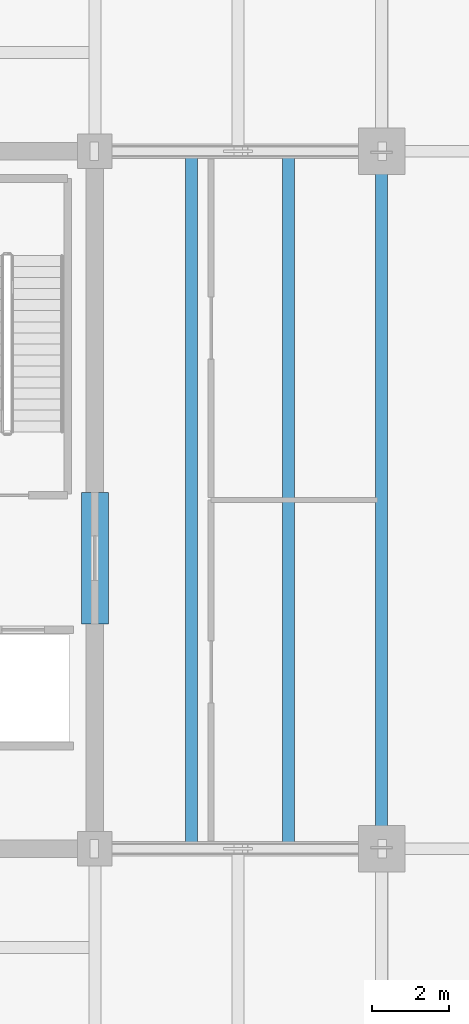
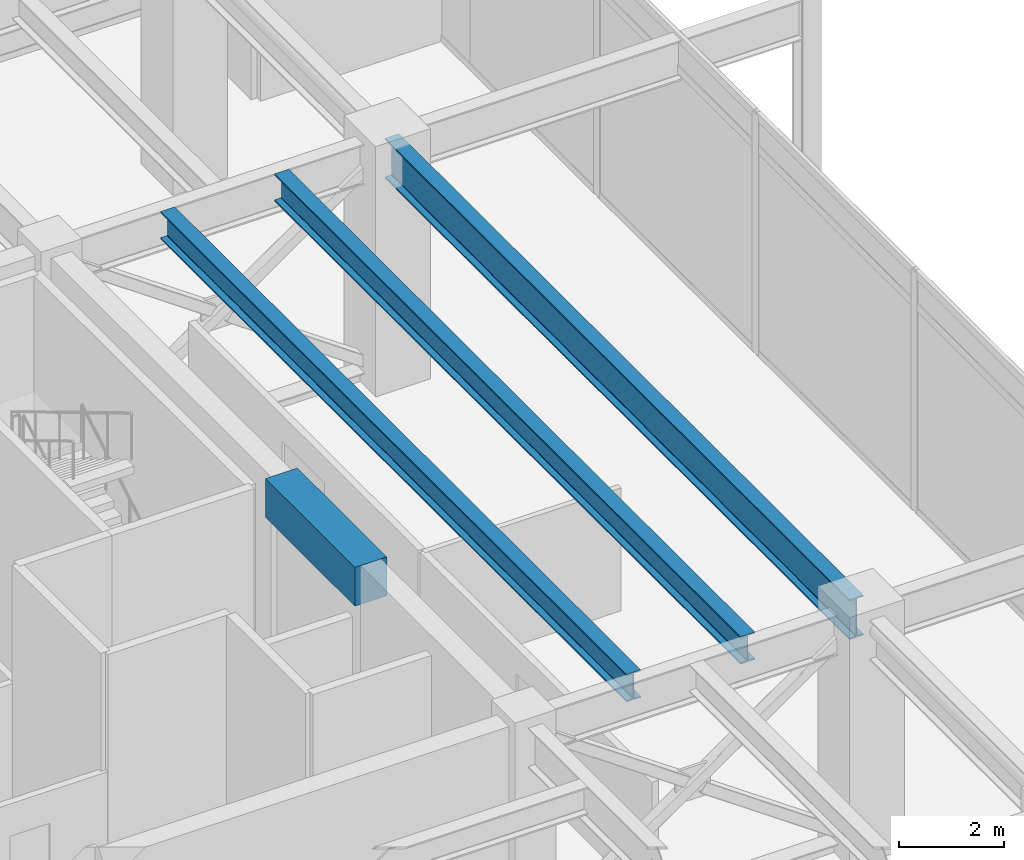
# One storey, part 10 of 26: 4 beams.
"""IFC4 building model written with IfcOpenShell, lengths in metres."""

import ifcopenshell
import ifcopenshell.guid

model = None  # the IFC model being written
_history = None  # IfcOwnerHistory: only IFC2X3 demands one
_inside = {}  # id of a spatial element -> (the spatial element, [elements in it])
_under = {}  # id of a project, library or spatial element -> (it, [spatial elements below it])
_declared = {}  # id of a project -> (the project, [libraries it declares])
_typed = {}  # id of a type object -> (the type object, [elements of that type])
_made_of = {}  # id of a material, layer set ... -> (it, [elements and type objects made of it])


def new_model(schema):
    """Start an empty IFC model of exactly this schema.

    Asked for "IFC4X3", IfcOpenShell would pick the latest addendum, in which some entities
    have other attributes; the version numbers below select the first issue.
    IFC2X3 requires an IfcOwnerHistory on every rooted entity: one is made here for all.
    """
    global model, _history
    if schema == "IFC4X3":
        model = ifcopenshell.file(schema_version=(4, 3, 0, 0))
    else:
        model = ifcopenshell.file(schema=schema)
    _inside.clear()
    _under.clear()
    _declared.clear()
    _typed.clear()
    _made_of.clear()
    _history = None
    if model.schema == "IFC2X3":
        org = make("IfcOrganization", Name="unknown")
        user = make(
            "IfcPersonAndOrganization",
            ThePerson=make("IfcPerson", FamilyName="unknown"),
            TheOrganization=org,
        )
        app = make(
            "IfcApplication",
            ApplicationDeveloper=org,
            Version="unknown",
            ApplicationFullName="unknown",
            ApplicationIdentifier="unknown",
        )
        _history = make(
            "IfcOwnerHistory",
            OwningUser=user,
            OwningApplication=app,
            ChangeAction="ADDED",
            CreationDate=0,
        )
    return model


def make(cls, **values):
    """One entity of the class cls with the attributes given. An attribute that is None is left unset."""
    return model.create_entity(
        cls, **{name: value for name, value in values.items() if value is not None}
    )


def rooted(cls, **values):
    """An entity with a GlobalId (a new one), such as an element, a storey or a relation."""
    return make(cls, GlobalId=ifcopenshell.guid.new(), OwnerHistory=_history, **values)


def si_unit(unit_type, name, prefix=None):
    """IfcSIUnit, for example si_unit("LENGTHUNIT", "METRE", prefix="MILLI")."""
    return make("IfcSIUnit", UnitType=unit_type, Prefix=prefix, Name=name)


def assignment(units):
    """IfcUnitAssignment: the units of a project."""
    return None if units is None else make("IfcUnitAssignment", Units=units)


def point(xyz):
    """IfcCartesianPoint."""
    return None if xyz is None else make("IfcCartesianPoint", Coordinates=xyz)


def direction(xyz):
    """IfcDirection."""
    return None if xyz is None else make("IfcDirection", DirectionRatios=xyz)


def frame(location, z_axis=None, x_axis=None):
    """IfcAxis2Placement3D, a coordinate frame: its origin and axes. An axis left out is left unset."""
    return make(
        "IfcAxis2Placement3D",
        Location=point(location),
        Axis=direction(z_axis),
        RefDirection=direction(x_axis),
    )


def frame_2d(location, x_axis=None):
    """IfcAxis2Placement2D, a coordinate frame in the plane: its origin and x axis."""
    return make(
        "IfcAxis2Placement2D", Location=point(location), RefDirection=direction(x_axis)
    )


def origin():
    """The frame at (0, 0, 0) with its axes left unset."""
    return frame((0.0, 0.0, 0.0))


def origin_2d():
    """The frame at (0, 0) in the plane with its x axis left unset."""
    return frame_2d((0.0, 0.0))


def place(relative_to, where):
    """IfcLocalPlacement: puts the frame where relative to a parent placement (None: the world)."""
    return make(
        "IfcLocalPlacement", PlacementRelTo=relative_to, RelativePlacement=where
    )


def context(
    kind, dimensions, precision=None, world=None, true_north=None, identifier=None
):
    """IfcGeometricRepresentationContext, for example the 3D "Model" context."""
    return make(
        "IfcGeometricRepresentationContext",
        ContextIdentifier=identifier,
        ContextType=kind,
        CoordinateSpaceDimension=dimensions,
        Precision=precision,
        WorldCoordinateSystem=world,
        TrueNorth=true_north,
    )


def subcontext(parent, identifier, kind, view, scale=None):
    """IfcGeometricRepresentationSubContext, for example "Body" below "Model"."""
    return make(
        "IfcGeometricRepresentationSubContext",
        ContextIdentifier=identifier,
        ContextType=kind,
        ParentContext=parent,
        TargetScale=scale,
        TargetView=view,
    )


def project(units=None, contexts=None):
    """IfcProject with its units and contexts."""
    return rooted(
        "IfcProject",
        Name="project",
        RepresentationContexts=contexts,
        UnitsInContext=assignment(units),
    )


def spatial(cls, under=None, at=None, **own):
    """A site, building, storey or space (cls), placed at a placement, below another one or the project."""
    s = rooted(cls, ObjectPlacement=at, **own)
    if under is not None:
        _under.setdefault(under.id(), (under, []))[1].append(s)
    return s


def profile(cls, at=None, kind="AREA", **sizes):
    """A parametric profile (cls). Its sizes go by their IFC names, for example OverallWidth=200.0."""
    return make(cls, ProfileType=kind, Position=at, **sizes)


def rectangle(**sizes):
    """IfcRectangleProfileDef."""
    return profile("IfcRectangleProfileDef", **sizes)


def i_section(**sizes):
    """IfcIShapeProfileDef."""
    return profile("IfcIShapeProfileDef", **sizes)


def extrude(swept, where, along, depth):
    """IfcExtrudedAreaSolid: the profile swept, set in the frame where, extruded along a direction by depth."""
    return make(
        "IfcExtrudedAreaSolid",
        SweptArea=swept,
        Position=where,
        ExtrudedDirection=direction(along),
        Depth=depth,
    )


def shape(context_of_items, identifier, shape_type, items):
    """IfcShapeRepresentation: the items that make up one representation, for example the "Body"."""
    return make(
        "IfcShapeRepresentation",
        ContextOfItems=context_of_items,
        RepresentationIdentifier=identifier,
        RepresentationType=shape_type,
        Items=items,
    )


def material(Name=None, Category=None):
    """IfcMaterial."""
    return make("IfcMaterial", Name=Name, Category=Category)


def material_profile(
    of_material, cross_section, Name=None, Category=None, Priority=None
):
    """IfcMaterialProfile: a cross section and its material."""
    return make(
        "IfcMaterialProfile",
        Name=Name,
        Material=of_material,
        Profile=cross_section,
        Priority=Priority,
        Category=Category,
    )


def profile_set(profiles, Name=None, composite=None):
    """IfcMaterialProfileSet."""
    return make(
        "IfcMaterialProfileSet",
        Name=Name,
        MaterialProfiles=profiles,
        CompositeProfile=composite,
    )


def made_of(thing, what):
    """Note that an element or type object is made of a material, layer set ...; save() writes the relation."""
    if what is not None:
        _made_of.setdefault(what.id(), (what, []))[1].append(thing)
    return thing


def type_object(cls, material=None, **own):
    """A type object (cls), such as IfcWallType, which elements share."""
    return made_of(rooted(cls, **own), material)


def element(
    cls,
    number,
    at=None,
    inside=None,
    cuts=None,
    type_object=None,
    material=None,
    context=None,
    identifier="Body",
    shape_type=None,
    held_by="IfcProductDefinitionShape",
    body=None,
    shapes=None,
    **own,
):
    """One element of the class cls, such as IfcWall. Its Tag is "e" and its number.

    at: its placement. inside: the storey or other place that contains it. cuts: it is an
    opening in that element (IfcRelVoidsElement). A single representation is given by context,
    identifier, shape_type and body (its items); several are given by shapes. held_by: the class
    of the entity that holds the representations. save() writes the other relations.
    """
    e = rooted(cls, Tag="e%d" % number, ObjectPlacement=at, **own)
    if body is not None:
        shapes = [shape(context, identifier, shape_type, body)]
    if shapes is not None:
        e.Representation = make(held_by, Representations=shapes)
    if inside is not None:
        _inside.setdefault(inside.id(), (inside, []))[1].append(e)
    if cuts is not None:
        rooted(
            "IfcRelVoidsElement", RelatingBuildingElement=cuts, RelatedOpeningElement=e
        )
    if type_object is not None:
        _typed.setdefault(type_object.id(), (type_object, []))[1].append(e)
    return made_of(e, material)


def aggregate(whole, parts):
    """IfcRelAggregates: a whole, such as a stair, and the parts it consists of."""
    return rooted("IfcRelAggregates", RelatingObject=whole, RelatedObjects=parts)


def save(model, path):
    """Write the relations noted so far, then the file.

    IfcRelAggregates (storeys below a building ...), IfcRelContainedInSpatialStructure (elements
    in a storey), IfcRelDefinesByType, IfcRelAssociatesMaterial and IfcRelDeclares: one each for
    every whole, place, type object, material and project.
    """
    for whole, parts in _under.values():
        aggregate(whole, parts)
    for where, things in _inside.values():
        rooted(
            "IfcRelContainedInSpatialStructure",
            RelatedElements=things,
            RelatingStructure=where,
        )
    for kind, things in _typed.values():
        rooted("IfcRelDefinesByType", RelatedObjects=things, RelatingType=kind)
    for what, things in _made_of.values():
        rooted("IfcRelAssociatesMaterial", RelatedObjects=things, RelatingMaterial=what)
    for by, libraries in _declared.values():
        rooted("IfcRelDeclares", RelatingContext=by, RelatedDefinitions=libraries)
    model.write(path)


model = new_model("IFC4")

# Units and contexts
model_context = context("Model", 3, precision=1e-05, world=origin(), true_north=direction((0.0, 1.0)))
body_context = subcontext(model_context, "Body", "Model", "MODEL_VIEW")
ifc_project = project(units=[si_unit("LENGTHUNIT", "METRE"), si_unit("AREAUNIT", "SQUARE_METRE"), si_unit("VOLUMEUNIT", "CUBIC_METRE"), si_unit("PLANEANGLEUNIT", "RADIAN"), si_unit("MASSUNIT", "GRAM", prefix="KILO")], contexts=[model_context])

# Site, building, storey
site_placement = place(None, origin())
site = spatial("IfcSite", under=ifc_project, at=site_placement, CompositionType="ELEMENT")
building_placement = place(site_placement, origin())
building = spatial("IfcBuilding", under=site, at=building_placement, Name="Kovane Verandah Tower", CompositionType="ELEMENT")
storey_placement = place(building_placement, frame((0.0, 0.0, 301.0)))
storey = spatial("IfcBuildingStorey", under=building, at=storey_placement, Name="L70", CompositionType="ELEMENT", Elevation=301.0)

# Beams
ifc_material_1 = material(Name="Concrete C60/75", Category="concrete")
ifc_material_profile_1 = material_profile(ifc_material_1, rectangle(XDim=0.699951171875, YDim=0.89990234375, at=origin_2d()), Name="RCB700x900")
ifc_profile_set_1 = profile_set([ifc_material_profile_1], Name="Concrete C60/75")
beam_type_1 = type_object("IfcBeamType", Name="BM-LINTEL-700x900", PredefinedType="LINTEL", material=ifc_profile_set_1)
beam_1_placement = place(storey_placement, frame((51.0, 24.300048828125, 5.135009765625), z_axis=(0.0, 1.0, 0.0), x_axis=(-1.0, 0.0, 0.0)))
element("IfcBeam", 1, at=beam_1_placement, inside=storey, type_object=beam_type_1, Name="L70 Core Coupling Lintel CL-E", PredefinedType="LINTEL", context=body_context, shape_type="SweptSolid", body=[
    extrude(rectangle(XDim=0.699951171875, YDim=0.89990234375, at=origin_2d()), origin(), (0.0, 0.0, 1.0), 3.39990234375),
])
ifc_material_2 = material(Name="Steel S460", Category="steel")
ifc_material_profile_2 = material_profile(ifc_material_2, i_section(OverallWidth=0.311279296875, OverallDepth=0.6357421875, WebThickness=0.018310546875, FlangeThickness=0.031494140625, FilletRadius=0.0166015625, at=origin_2d()), Name="UB610x305x238")
ifc_profile_set_2 = profile_set([ifc_material_profile_2], Name="Steel S460")
beam_type_2 = type_object("IfcBeamType", Name="BM-UB610x238", PredefinedType="BEAM", material=ifc_profile_set_2)
for number, where, z_axis, x_axis, name in (
    (2, (53.5, 18.65185546875, 5.26708984375), (0.0, 1.0, 0.0), (-1.0, 0.0, 0.0), "L70 Secondary Composite Joist J-E1"),
    (3, (56.0, 18.65185546875, 5.26708984375), (0.0, 1.0, 0.0), (-1.0, 0.0, 0.0), "L70 Secondary Composite Joist J-E2"),
):
    element("IfcBeam", number, at=place(storey_placement, frame(where, z_axis=z_axis, x_axis=x_axis)), inside=storey, type_object=beam_type_2, Name=name, PredefinedType="BEAM", context=body_context, shape_type="SweptSolid", body=[
        extrude(i_section(OverallWidth=0.311279296875, OverallDepth=0.6357421875, WebThickness=0.018310546875, FlangeThickness=0.031494140625, FilletRadius=0.0166015625, at=origin_2d()), origin(), (0.0, 0.0, 1.0), 17.6962890625),
    ])
ifc_material_profile_3 = material_profile(ifc_material_2, i_section(OverallWidth=0.3076171875, OverallDepth=0.926513671875, WebThickness=0.01953125, FlangeThickness=0.031982421875, FilletRadius=0.01904296875, at=origin_2d()), Name="UB914x305x289")
ifc_profile_set_3 = profile_set([ifc_material_profile_3], Name="Steel S460")
beam_type_3 = type_object("IfcBeamType", Name="BM-UB914x289", PredefinedType="BEAM", material=ifc_profile_set_3)
beam_2_placement = place(storey_placement, frame((58.39990234375, 18.679931640625, 5.12158203125), z_axis=(0.0, 1.0, 0.0), x_axis=(-1.0, 0.0, 0.0)))
element("IfcBeam", 4, at=beam_2_placement, inside=storey, type_object=beam_type_3, Name="L70 Primary Tower Girder G-RE2", PredefinedType="BEAM", context=body_context, shape_type="SweptSolid", body=[
    extrude(i_section(OverallWidth=0.3076171875, OverallDepth=0.926513671875, WebThickness=0.01953125, FlangeThickness=0.031982421875, FilletRadius=0.01904296875, at=origin_2d()), origin(), (0.0, 0.0, 1.0), 17.64013671875),
])

save(model, "model.ifc")
